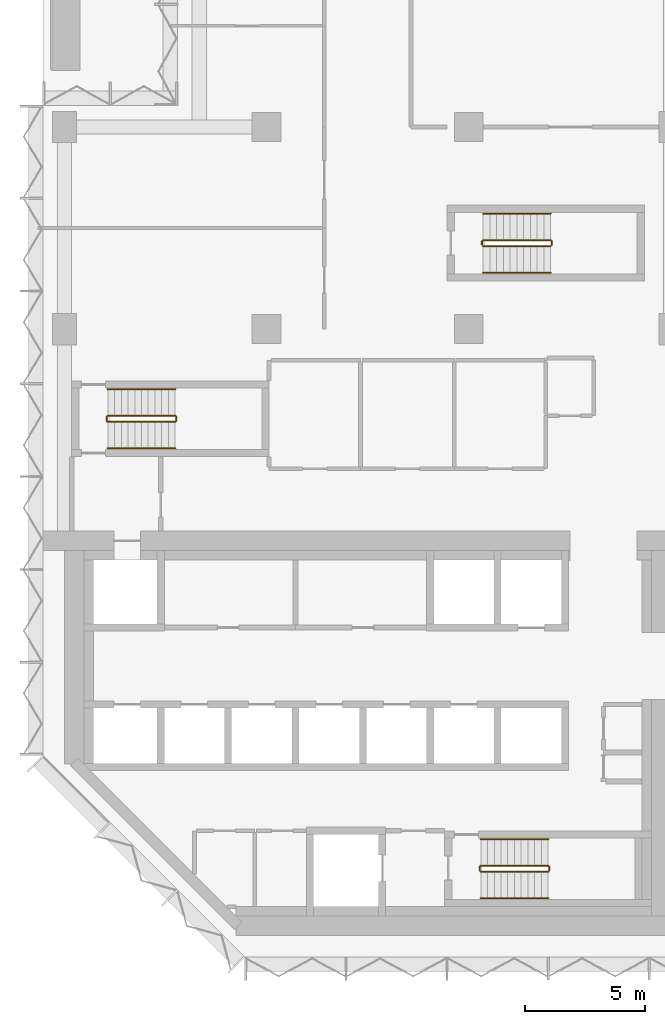
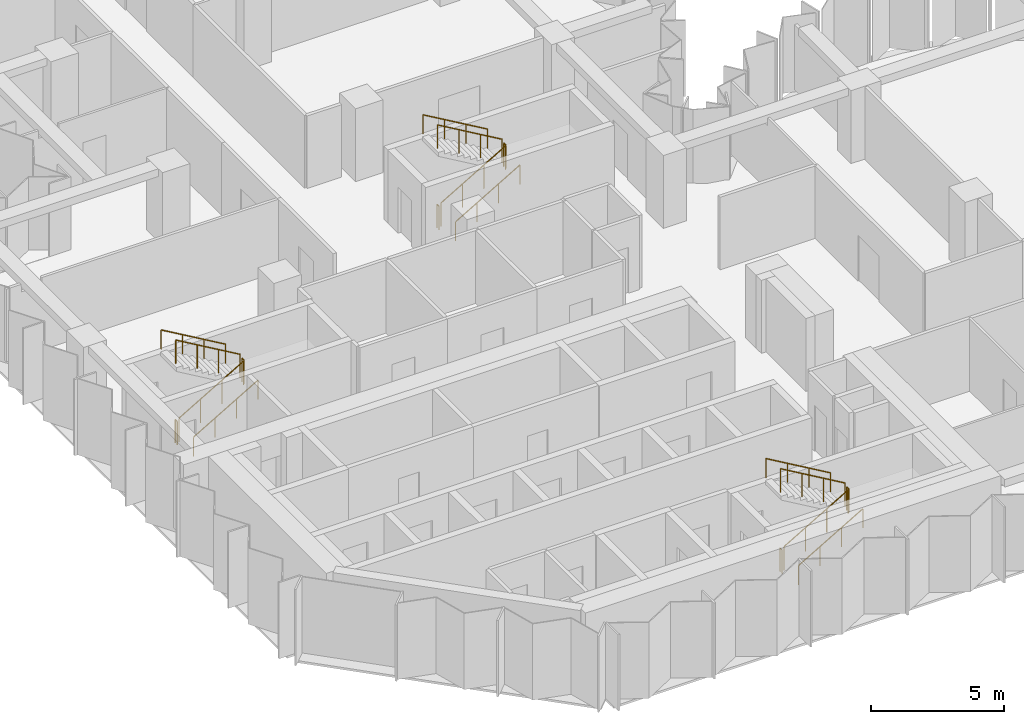
# One storey, part 16 of 18: 18 railings.
"""IFC4 building model written with IfcOpenShell, lengths in metres."""

from ifc_helpers import new_model, si_unit, direction, frame, origin, origin_2d, place, context, subcontext, project, spatial, circle, extrude, material, type_object, element, save


model = new_model("IFC4")

# Units and contexts
model_context = context("Model", 3, precision=1e-05, world=origin(), true_north=direction((0.0, 1.0)))
body_context = subcontext(model_context, "Body", "Model", "MODEL_VIEW")
ifc_project = project(units=[si_unit("LENGTHUNIT", "METRE"), si_unit("AREAUNIT", "SQUARE_METRE"), si_unit("VOLUMEUNIT", "CUBIC_METRE"), si_unit("PLANEANGLEUNIT", "RADIAN"), si_unit("MASSUNIT", "GRAM", prefix="KILO")], contexts=[model_context])

# Site, building, storey
site_placement = place(None, origin())
site = spatial("IfcSite", under=ifc_project, at=site_placement, CompositionType="ELEMENT")
building_placement = place(site_placement, origin())
building = spatial("IfcBuilding", under=site, at=building_placement, Name="Brevane Broadcast Tower", CompositionType="ELEMENT")
storey_placement = place(building_placement, frame((0.0, 0.0, 134.89990234375)))
storey = spatial("IfcBuildingStorey", under=building, at=storey_placement, Name="L33", CompositionType="ELEMENT", Elevation=134.89990234375)

# Railings
ifc_material = material(Name="Steel S355", Category="steel")
railing_type_1 = type_object("IfcRailingType", Name="Exit stair guard", PredefinedType="GUARDRAIL", material=ifc_material)
railing_1_placement = place(storey_placement, frame((1.800048828125, 21.35009765625, 0.163818359375)))
element("IfcRailing", 1, at=railing_1_placement, inside=storey, type_object=railing_type_1, Name="L33 ST-1 stair guard 1", PredefinedType="GUARDRAIL", context=body_context, shape_type="SweptSolid", body=[
    extrude(circle(Radius=0.02392578125, at=origin_2d()), frame((0.0, 0.0, 1.076171875), z_axis=(0.863393664356, 0.0, 0.504530851732), x_axis=(0.0, 1.0, 0.0)), (0.0, 0.0, 1.0), 3.2431640625),
    extrude(circle(Radius=0.02099609375, at=origin_2d()), origin(), (0.0, 0.0, 1.0), 1.052001953125),
    extrude(circle(Radius=0.02099609375, at=origin_2d()), frame((0.933349609375, 0.0, 0.54541015625)), (0.0, 0.0, 1.0), 1.052001953125),
    extrude(circle(Radius=0.02099609375, at=origin_2d()), frame((1.86669921875, 0.0, 1.0908203125)), (0.0, 0.0, 1.0), 1.052001953125),
    extrude(circle(Radius=0.02099609375, at=origin_2d()), frame((2.800048828125, 0.0, 1.63623046875)), (0.0, 0.0, 1.0), 1.052001953125),
])
railing_2_placement = place(storey_placement, frame((4.64990234375, 21.39990234375, 1.800048828125)))
element("IfcRailing", 2, at=railing_2_placement, inside=storey, type_object=railing_type_1, Name="L33 ST-1 stair guard 2", PredefinedType="GUARDRAIL", context=body_context, shape_type="SweptSolid", body=[
    extrude(circle(Radius=0.02392578125, at=origin_2d()), frame((0.0, 0.0, 1.076171875), z_axis=(0.0, 1.0, 0.0), x_axis=(-1.0, 0.0, 0.0)), (0.0, 0.0, 1.0), 0.150146484375),
    extrude(circle(Radius=0.02099609375, at=origin_2d()), origin(), (0.0, 0.0, 1.0), 1.052001953125),
    extrude(circle(Radius=0.02099609375, at=origin_2d()), frame((0.0, 0.150146484375, 0.0)), (0.0, 0.0, 1.0), 1.052001953125),
])
railing_3_placement = place(storey_placement, frame((4.60009765625, 21.60009765625, 1.963623046875)))
element("IfcRailing", 3, at=railing_3_placement, inside=storey, type_object=railing_type_1, Name="L33 ST-1 stair guard 3", PredefinedType="GUARDRAIL", context=body_context, shape_type="SweptSolid", body=[
    extrude(circle(Radius=0.02392578125, at=origin_2d()), frame((0.0, 0.0, 1.076171875), z_axis=(-0.863360870873, 0.0, 0.504586966384), x_axis=(0.0, -1.0, 0.0)), (0.0, 0.0, 1.0), 3.2431640625),
    extrude(circle(Radius=0.02099609375, at=origin_2d()), origin(), (0.0, 0.0, 1.0), 1.052001953125),
    extrude(circle(Radius=0.02099609375, at=origin_2d()), frame((-0.933349609375, 0.0, 0.54541015625)), (0.0, 0.0, 1.0), 1.052001953125),
    extrude(circle(Radius=0.02099609375, at=origin_2d()), frame((-1.86669921875, 0.0, 1.091064453125)), (0.0, 0.0, 1.0), 1.052001953125),
    extrude(circle(Radius=0.02099609375, at=origin_2d()), frame((-2.800048828125, 0.0, 1.636474609375)), (0.0, 0.0, 1.0), 1.052001953125),
])
railing_4_placement = place(storey_placement, frame((1.75, 21.39990234375, 0.0)))
element("IfcRailing", 4, at=railing_4_placement, inside=storey, type_object=railing_type_1, Name="L33 ST-1 stair guard 4", PredefinedType="GUARDRAIL", context=body_context, shape_type="SweptSolid", body=[
    extrude(circle(Radius=0.02392578125, at=origin_2d()), frame((0.0, 0.0, 1.076171875), z_axis=(0.0, 1.0, 0.0), x_axis=(-1.0, 0.0, 0.0)), (0.0, 0.0, 1.0), 0.150146484375),
    extrude(circle(Radius=0.02099609375, at=origin_2d()), origin(), (0.0, 0.0, 1.0), 1.052001953125),
    extrude(circle(Radius=0.02099609375, at=origin_2d()), frame((0.0, 0.150146484375, 0.0)), (0.0, 0.0, 1.0), 1.052001953125),
])
railing_5_placement = place(storey_placement, frame((17.300048828125, 2.64990234375, 0.163818359375)))
element("IfcRailing", 5, at=railing_5_placement, inside=storey, type_object=railing_type_1, Name="L33 ST-2 stair guard 1", PredefinedType="GUARDRAIL", context=body_context, shape_type="SweptSolid", body=[
    extrude(circle(Radius=0.02392578125, at=origin_2d()), frame((0.0, 0.0, 1.076171875), z_axis=(0.863393664356, 0.0, 0.504530851732), x_axis=(0.0, 1.0, 0.0)), (0.0, 0.0, 1.0), 3.2431640625),
    extrude(circle(Radius=0.02099609375, at=origin_2d()), origin(), (0.0, 0.0, 1.0), 1.052001953125),
    extrude(circle(Radius=0.02099609375, at=origin_2d()), frame((0.933349609375, 0.0, 0.54541015625)), (0.0, 0.0, 1.0), 1.052001953125),
    extrude(circle(Radius=0.02099609375, at=origin_2d()), frame((1.86669921875, 0.0, 1.0908203125)), (0.0, 0.0, 1.0), 1.052001953125),
    extrude(circle(Radius=0.02099609375, at=origin_2d()), frame((2.800048828125, 0.0, 1.63623046875)), (0.0, 0.0, 1.0), 1.052001953125),
])
railing_6_placement = place(storey_placement, frame((20.14990234375, 2.699951171875, 1.800048828125)))
element("IfcRailing", 6, at=railing_6_placement, inside=storey, type_object=railing_type_1, Name="L33 ST-2 stair guard 2", PredefinedType="GUARDRAIL", context=body_context, shape_type="SweptSolid", body=[
    extrude(circle(Radius=0.02392578125, at=origin_2d()), frame((0.0, 0.0, 1.076171875), z_axis=(0.0, 1.0, 0.0), x_axis=(-1.0, 0.0, 0.0)), (0.0, 0.0, 1.0), 0.150146484375),
    extrude(circle(Radius=0.02099609375, at=origin_2d()), origin(), (0.0, 0.0, 1.0), 1.052001953125),
    extrude(circle(Radius=0.02099609375, at=origin_2d()), frame((0.0, 0.150146484375, 0.0)), (0.0, 0.0, 1.0), 1.052001953125),
])
railing_7_placement = place(storey_placement, frame((20.10009765625, 2.89990234375, 1.963623046875)))
element("IfcRailing", 7, at=railing_7_placement, inside=storey, type_object=railing_type_1, Name="L33 ST-2 stair guard 3", PredefinedType="GUARDRAIL", context=body_context, shape_type="SweptSolid", body=[
    extrude(circle(Radius=0.02392578125, at=origin_2d()), frame((0.0, 0.0, 1.076171875), z_axis=(-0.863360870873, 0.0, 0.504586966384), x_axis=(0.0, -1.0, 0.0)), (0.0, 0.0, 1.0), 3.2431640625),
    extrude(circle(Radius=0.02099609375, at=origin_2d()), origin(), (0.0, 0.0, 1.0), 1.052001953125),
    extrude(circle(Radius=0.02099609375, at=origin_2d()), frame((-0.933349609375, 0.0, 0.54541015625)), (0.0, 0.0, 1.0), 1.052001953125),
    extrude(circle(Radius=0.02099609375, at=origin_2d()), frame((-1.86669921875, 0.0, 1.091064453125)), (0.0, 0.0, 1.0), 1.052001953125),
    extrude(circle(Radius=0.02099609375, at=origin_2d()), frame((-2.800048828125, 0.0, 1.636474609375)), (0.0, 0.0, 1.0), 1.052001953125),
])
railing_8_placement = place(storey_placement, frame((17.25, 2.699951171875, 0.0)))
element("IfcRailing", 8, at=railing_8_placement, inside=storey, type_object=railing_type_1, Name="L33 ST-2 stair guard 4", PredefinedType="GUARDRAIL", context=body_context, shape_type="SweptSolid", body=[
    extrude(circle(Radius=0.02392578125, at=origin_2d()), frame((0.0, 0.0, 1.076171875), z_axis=(0.0, 1.0, 0.0), x_axis=(-1.0, 0.0, 0.0)), (0.0, 0.0, 1.0), 0.150146484375),
    extrude(circle(Radius=0.02099609375, at=origin_2d()), origin(), (0.0, 0.0, 1.0), 1.052001953125),
    extrude(circle(Radius=0.02099609375, at=origin_2d()), frame((0.0, 0.150146484375, 0.0)), (0.0, 0.0, 1.0), 1.052001953125),
])
railing_9_placement = place(storey_placement, frame((17.39990234375, 28.64990234375, 0.163818359375)))
element("IfcRailing", 9, at=railing_9_placement, inside=storey, type_object=railing_type_1, Name="L33 ST-3 stair guard 1", PredefinedType="GUARDRAIL", context=body_context, shape_type="SweptSolid", body=[
    extrude(circle(Radius=0.02392578125, at=origin_2d()), frame((0.0, 0.0, 1.076171875), z_axis=(0.863393664356, 0.0, 0.504530851732), x_axis=(0.0, 1.0, 0.0)), (0.0, 0.0, 1.0), 3.2431640625),
    extrude(circle(Radius=0.02099609375, at=origin_2d()), origin(), (0.0, 0.0, 1.0), 1.052001953125),
    extrude(circle(Radius=0.02099609375, at=origin_2d()), frame((0.933349609375, 0.0, 0.54541015625)), (0.0, 0.0, 1.0), 1.052001953125),
    extrude(circle(Radius=0.02099609375, at=origin_2d()), frame((1.86669921875, 0.0, 1.0908203125)), (0.0, 0.0, 1.0), 1.052001953125),
    extrude(circle(Radius=0.02099609375, at=origin_2d()), frame((2.800048828125, 0.0, 1.63623046875)), (0.0, 0.0, 1.0), 1.052001953125),
])
railing_10_placement = place(storey_placement, frame((20.25, 28.699951171875, 1.800048828125)))
element("IfcRailing", 10, at=railing_10_placement, inside=storey, type_object=railing_type_1, Name="L33 ST-3 stair guard 2", PredefinedType="GUARDRAIL", context=body_context, shape_type="SweptSolid", body=[
    extrude(circle(Radius=0.02392578125, at=origin_2d()), frame((0.0, 0.0, 1.076171875), z_axis=(0.0, 1.0, 0.0), x_axis=(-1.0, 0.0, 0.0)), (0.0, 0.0, 1.0), 0.150146484375),
    extrude(circle(Radius=0.02099609375, at=origin_2d()), origin(), (0.0, 0.0, 1.0), 1.052001953125),
    extrude(circle(Radius=0.02099609375, at=origin_2d()), frame((0.0, 0.150146484375, 0.0)), (0.0, 0.0, 1.0), 1.052001953125),
])
railing_11_placement = place(storey_placement, frame((20.199951171875, 28.89990234375, 1.963623046875)))
element("IfcRailing", 11, at=railing_11_placement, inside=storey, type_object=railing_type_1, Name="L33 ST-3 stair guard 3", PredefinedType="GUARDRAIL", context=body_context, shape_type="SweptSolid", body=[
    extrude(circle(Radius=0.02392578125, at=origin_2d()), frame((0.0, 0.0, 1.076171875), z_axis=(-0.863360870873, 0.0, 0.504586966384), x_axis=(0.0, -1.0, 0.0)), (0.0, 0.0, 1.0), 3.2431640625),
    extrude(circle(Radius=0.02099609375, at=origin_2d()), origin(), (0.0, 0.0, 1.0), 1.052001953125),
    extrude(circle(Radius=0.02099609375, at=origin_2d()), frame((-0.933349609375, 0.0, 0.54541015625)), (0.0, 0.0, 1.0), 1.052001953125),
    extrude(circle(Radius=0.02099609375, at=origin_2d()), frame((-1.86669921875, 0.0, 1.091064453125)), (0.0, 0.0, 1.0), 1.052001953125),
    extrude(circle(Radius=0.02099609375, at=origin_2d()), frame((-2.800048828125, 0.0, 1.636474609375)), (0.0, 0.0, 1.0), 1.052001953125),
])
railing_12_placement = place(storey_placement, frame((17.35009765625, 28.699951171875, 0.0)))
element("IfcRailing", 12, at=railing_12_placement, inside=storey, type_object=railing_type_1, Name="L33 ST-3 stair guard 4", PredefinedType="GUARDRAIL", context=body_context, shape_type="SweptSolid", body=[
    extrude(circle(Radius=0.02392578125, at=origin_2d()), frame((0.0, 0.0, 1.076171875), z_axis=(0.0, 1.0, 0.0), x_axis=(-1.0, 0.0, 0.0)), (0.0, 0.0, 1.0), 0.150146484375),
    extrude(circle(Radius=0.02099609375, at=origin_2d()), origin(), (0.0, 0.0, 1.0), 1.052001953125),
    extrude(circle(Radius=0.02099609375, at=origin_2d()), frame((0.0, 0.150146484375, 0.0)), (0.0, 0.0, 1.0), 1.052001953125),
])
railing_type_2 = type_object("IfcRailingType", Name="Exit stair handrail", PredefinedType="HANDRAIL", material=ifc_material)
railing_13_placement = place(storey_placement, frame((1.800048828125, 20.25, 0.163818359375)))
element("IfcRailing", 13, at=railing_13_placement, inside=storey, type_object=railing_type_2, Name="L33 ST-1 stair handrail 1", PredefinedType="HANDRAIL", context=body_context, shape_type="SweptSolid", body=[
    extrude(circle(Radius=0.02392578125, at=origin_2d()), frame((0.0, 0.0, 0.8759765625), z_axis=(0.863393664356, 0.0, 0.504530851732), x_axis=(0.0, 1.0, 0.0)), (0.0, 0.0, 1.0), 3.2431640625),
    extrude(circle(Radius=0.02099609375, at=origin_2d()), origin(), (0.0, 0.0, 1.0), 0.851806640625),
    extrude(circle(Radius=0.02099609375, at=origin_2d()), frame((0.933349609375, 0.0, 0.54541015625)), (0.0, 0.0, 1.0), 0.851806640625),
    extrude(circle(Radius=0.02099609375, at=origin_2d()), frame((1.86669921875, 0.0, 1.0908203125)), (0.0, 0.0, 1.0), 0.851806640625),
    extrude(circle(Radius=0.02099609375, at=origin_2d()), frame((2.800048828125, 0.0, 1.63623046875)), (0.0, 0.0, 1.0), 0.851806640625),
])
railing_14_placement = place(storey_placement, frame((4.60009765625, 22.699951171875, 1.963623046875)))
element("IfcRailing", 14, at=railing_14_placement, inside=storey, type_object=railing_type_2, Name="L33 ST-1 stair handrail 2", PredefinedType="HANDRAIL", context=body_context, shape_type="SweptSolid", body=[
    extrude(circle(Radius=0.02392578125, at=origin_2d()), frame((0.0, 0.0, 0.8759765625), z_axis=(-0.863360870873, 0.0, 0.504586966384), x_axis=(0.0, -1.0, 0.0)), (0.0, 0.0, 1.0), 3.2431640625),
    extrude(circle(Radius=0.02099609375, at=origin_2d()), origin(), (0.0, 0.0, 1.0), 0.851806640625),
    extrude(circle(Radius=0.02099609375, at=origin_2d()), frame((-0.933349609375, 0.0, 0.54541015625)), (0.0, 0.0, 1.0), 0.851806640625),
    extrude(circle(Radius=0.02099609375, at=origin_2d()), frame((-1.86669921875, 0.0, 1.091064453125)), (0.0, 0.0, 1.0), 0.851806640625),
    extrude(circle(Radius=0.02099609375, at=origin_2d()), frame((-2.800048828125, 0.0, 1.636474609375)), (0.0, 0.0, 1.0), 0.851806640625),
])
railing_15_placement = place(storey_placement, frame((17.300048828125, 1.550048828125, 0.163818359375)))
element("IfcRailing", 15, at=railing_15_placement, inside=storey, type_object=railing_type_2, Name="L33 ST-2 stair handrail 1", PredefinedType="HANDRAIL", context=body_context, shape_type="SweptSolid", body=[
    extrude(circle(Radius=0.02392578125, at=origin_2d()), frame((0.0, 0.0, 0.8759765625), z_axis=(0.863393664356, 0.0, 0.504530851732), x_axis=(0.0, 1.0, 0.0)), (0.0, 0.0, 1.0), 3.2431640625),
    extrude(circle(Radius=0.02099609375, at=origin_2d()), origin(), (0.0, 0.0, 1.0), 0.851806640625),
    extrude(circle(Radius=0.02099609375, at=origin_2d()), frame((0.933349609375, 0.0, 0.54541015625)), (0.0, 0.0, 1.0), 0.851806640625),
    extrude(circle(Radius=0.02099609375, at=origin_2d()), frame((1.86669921875, 0.0, 1.0908203125)), (0.0, 0.0, 1.0), 0.851806640625),
    extrude(circle(Radius=0.02099609375, at=origin_2d()), frame((2.800048828125, 0.0, 1.63623046875)), (0.0, 0.0, 1.0), 0.851806640625),
])
railing_16_placement = place(storey_placement, frame((20.10009765625, 4.0, 1.963623046875)))
element("IfcRailing", 16, at=railing_16_placement, inside=storey, type_object=railing_type_2, Name="L33 ST-2 stair handrail 2", PredefinedType="HANDRAIL", context=body_context, shape_type="SweptSolid", body=[
    extrude(circle(Radius=0.02392578125, at=origin_2d()), frame((0.0, 0.0, 0.8759765625), z_axis=(-0.863360870873, 0.0, 0.504586966384), x_axis=(0.0, -1.0, 0.0)), (0.0, 0.0, 1.0), 3.2431640625),
    extrude(circle(Radius=0.02099609375, at=origin_2d()), origin(), (0.0, 0.0, 1.0), 0.851806640625),
    extrude(circle(Radius=0.02099609375, at=origin_2d()), frame((-0.933349609375, 0.0, 0.54541015625)), (0.0, 0.0, 1.0), 0.851806640625),
    extrude(circle(Radius=0.02099609375, at=origin_2d()), frame((-1.86669921875, 0.0, 1.091064453125)), (0.0, 0.0, 1.0), 0.851806640625),
    extrude(circle(Radius=0.02099609375, at=origin_2d()), frame((-2.800048828125, 0.0, 1.636474609375)), (0.0, 0.0, 1.0), 0.851806640625),
])
railing_17_placement = place(storey_placement, frame((17.39990234375, 27.550048828125, 0.163818359375)))
element("IfcRailing", 17, at=railing_17_placement, inside=storey, type_object=railing_type_2, Name="L33 ST-3 stair handrail 1", PredefinedType="HANDRAIL", context=body_context, shape_type="SweptSolid", body=[
    extrude(circle(Radius=0.02392578125, at=origin_2d()), frame((0.0, 0.0, 0.8759765625), z_axis=(0.863393664356, 0.0, 0.504530851732), x_axis=(0.0, 1.0, 0.0)), (0.0, 0.0, 1.0), 3.2431640625),
    extrude(circle(Radius=0.02099609375, at=origin_2d()), origin(), (0.0, 0.0, 1.0), 0.851806640625),
    extrude(circle(Radius=0.02099609375, at=origin_2d()), frame((0.933349609375, 0.0, 0.54541015625)), (0.0, 0.0, 1.0), 0.851806640625),
    extrude(circle(Radius=0.02099609375, at=origin_2d()), frame((1.86669921875, 0.0, 1.0908203125)), (0.0, 0.0, 1.0), 0.851806640625),
    extrude(circle(Radius=0.02099609375, at=origin_2d()), frame((2.800048828125, 0.0, 1.63623046875)), (0.0, 0.0, 1.0), 0.851806640625),
])
railing_18_placement = place(storey_placement, frame((20.199951171875, 30.0, 1.963623046875)))
element("IfcRailing", 18, at=railing_18_placement, inside=storey, type_object=railing_type_2, Name="L33 ST-3 stair handrail 2", PredefinedType="HANDRAIL", context=body_context, shape_type="SweptSolid", body=[
    extrude(circle(Radius=0.02392578125, at=origin_2d()), frame((0.0, 0.0, 0.8759765625), z_axis=(-0.863360870873, 0.0, 0.504586966384), x_axis=(0.0, -1.0, 0.0)), (0.0, 0.0, 1.0), 3.2431640625),
    extrude(circle(Radius=0.02099609375, at=origin_2d()), origin(), (0.0, 0.0, 1.0), 0.851806640625),
    extrude(circle(Radius=0.02099609375, at=origin_2d()), frame((-0.933349609375, 0.0, 0.54541015625)), (0.0, 0.0, 1.0), 0.851806640625),
    extrude(circle(Radius=0.02099609375, at=origin_2d()), frame((-1.86669921875, 0.0, 1.091064453125)), (0.0, 0.0, 1.0), 0.851806640625),
    extrude(circle(Radius=0.02099609375, at=origin_2d()), frame((-2.800048828125, 0.0, 1.636474609375)), (0.0, 0.0, 1.0), 0.851806640625),
])

save(model, "model.ifc")
